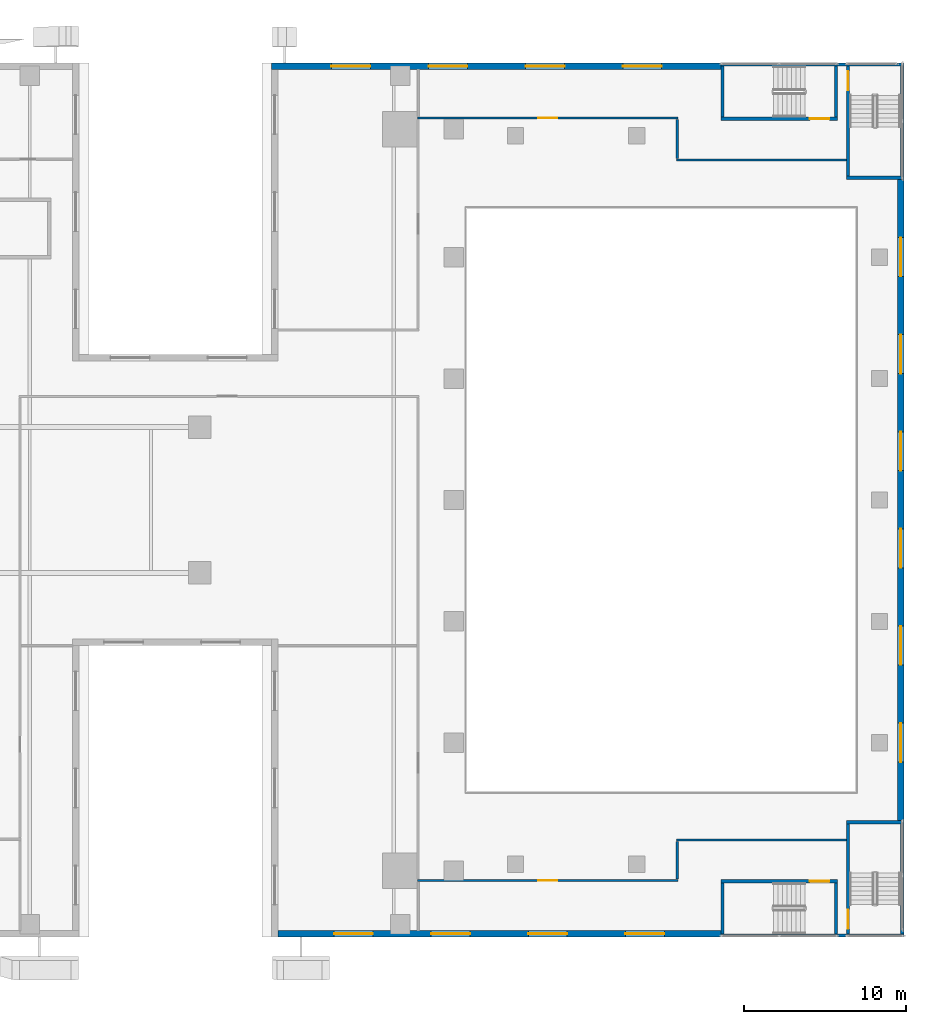
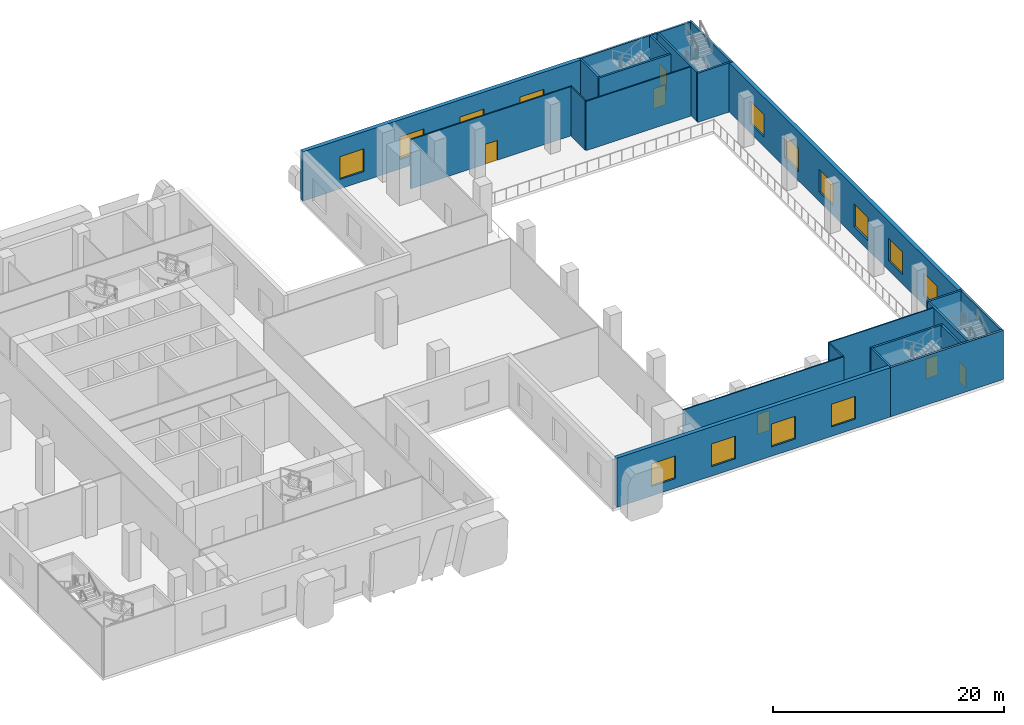
# One storey, part 14 of 23: 23 walls, 14 windows, 6 doors, 20 openings.
"""IFC4 building model written with IfcOpenShell, lengths in metres."""

from ifc_helpers import new_model, si_unit, direction, frame, frame_2d, origin, place, context, subcontext, project, spatial, rectangle, extrude, source, transform, mapped, material, layer, layer_set, type_object, element, fill, save


model = new_model("IFC4")

# Units and contexts
model_context = context("Model", 3, precision=1e-05, world=origin(), true_north=direction((0.0, 1.0)))
body_context = subcontext(model_context, "Body", "Model", "MODEL_VIEW")
ifc_project = project(units=[si_unit("LENGTHUNIT", "METRE"), si_unit("AREAUNIT", "SQUARE_METRE"), si_unit("VOLUMEUNIT", "CUBIC_METRE"), si_unit("PLANEANGLEUNIT", "RADIAN"), si_unit("MASSUNIT", "GRAM", prefix="KILO")], contexts=[model_context])

# Site, building, storey
site_placement = place(None, origin())
site = spatial("IfcSite", under=ifc_project, at=site_placement, CompositionType="ELEMENT")
building_placement = place(site_placement, origin())
building = spatial("IfcBuilding", under=site, at=building_placement, Name="Khomas Fold Tower", CompositionType="ELEMENT")
storey_placement = place(building_placement, frame((0.0, 0.0, 13.0)))
storey = spatial("IfcBuildingStorey", under=building, at=storey_placement, Name="L02", CompositionType="ELEMENT", Elevation=13.0)

# Wall, openings, windows
ifc_material_1 = material(Name="Concrete C40/50", Category="concrete")
ifc_layer_1 = layer(ifc_material_1, 0.39990234375)
ifc_layer_set_1 = layer_set([ifc_layer_1], Name="Concrete C40/50")
wall_type_1 = type_object("IfcWallType", Name="Stone-clad concrete wall 400", PredefinedType="SOLIDWALL", material=ifc_layer_set_1)
shared_shape_1 = source(origin(), body_context, "Body", "SweptSolid", [
    extrude(rectangle(XDim=39.580078125, YDim=0.39990234375, at=frame_2d((19.7900390625, 0.0))), origin(), (0.0, 0.0, 1.0), 5.199951171875),
])
wall_1_placement = place(storey_placement, frame((80.800048828125, 7.2099609375, 0.0), z_axis=(0.0, 0.0, 1.0), x_axis=(0.0, 1.0, 0.0)))
wall_1 = element("IfcWall", 1, at=wall_1_placement, inside=storey, type_object=wall_type_1, Name="Podium wall", PredefinedType="SOLIDWALL", context=body_context, shape_type="MappedRepresentation", body=[
    mapped(shared_shape_1, transform((0.0, 0.0, 0.0))),
])
shared_shape_2 = source(origin(), body_context, "Body", "SweptSolid", [
    extrude(rectangle(XDim=2.39990234375, YDim=2.39990234375, at=frame_2d((1.199951171875, 1.199951171875))), frame((0.0, 0.2099609375, 0.0), z_axis=(0.0, -1.0, 0.0), x_axis=(1.0, 0.0, 0.0)), (0.0, 0.0, 1.0), 0.419921875),
])
opening_1_placement = place(wall_1_placement, frame((3.60009765625, 0.0, 1.0)))
opening_1 = element("IfcOpeningElement", 2, at=opening_1_placement, cuts=wall_1, Name="Opening PD-WN", PredefinedType="OPENING", context=body_context, shape_type="MappedRepresentation", body=[
    mapped(shared_shape_2, transform((0.0, 0.0, 0.0))),
])
opening_2_placement = place(wall_1_placement, frame((9.60009765625, 0.0, 1.0)))
opening_2 = element("IfcOpeningElement", 3, at=opening_2_placement, cuts=wall_1, Name="Opening PD-WN", PredefinedType="OPENING", context=body_context, shape_type="MappedRepresentation", body=[
    mapped(shared_shape_2, transform((0.0, 0.0, 0.0))),
])
opening_3_placement = place(wall_1_placement, frame((15.60009765625, 0.0, 1.0)))
opening_3 = element("IfcOpeningElement", 4, at=opening_3_placement, cuts=wall_1, Name="Opening PD-WN", PredefinedType="OPENING", context=body_context, shape_type="MappedRepresentation", body=[
    mapped(shared_shape_2, transform((0.0, 0.0, 0.0))),
])
opening_4_placement = place(wall_1_placement, frame((21.60009765625, 0.0, 1.0)))
opening_4 = element("IfcOpeningElement", 5, at=opening_4_placement, cuts=wall_1, Name="Opening PD-WN", PredefinedType="OPENING", context=body_context, shape_type="MappedRepresentation", body=[
    mapped(shared_shape_2, transform((0.0, 0.0, 0.0))),
])
opening_5_placement = place(wall_1_placement, frame((27.60009765625, 0.0, 1.0)))
opening_5 = element("IfcOpeningElement", 6, at=opening_5_placement, cuts=wall_1, Name="Opening PD-WN", PredefinedType="OPENING", context=body_context, shape_type="MappedRepresentation", body=[
    mapped(shared_shape_2, transform((0.0, 0.0, 0.0))),
])
opening_6_placement = place(wall_1_placement, frame((33.60009765625, 0.0, 1.0)))
opening_6 = element("IfcOpeningElement", 7, at=opening_6_placement, cuts=wall_1, Name="Opening PD-WN", PredefinedType="OPENING", context=body_context, shape_type="MappedRepresentation", body=[
    mapped(shared_shape_2, transform((0.0, 0.0, 0.0))),
])
ifc_material_2 = material(Name="Aluminium framed double glazing", Category="aluminium")
window_type = type_object("IfcWindowType", Name="Podium window 2400 x 2400", PartitioningType="SINGLE_PANEL", PredefinedType="WINDOW", material=ifc_material_2)
shared_shape_3 = source(origin(), body_context, "Body", "SweptSolid", [
    extrude(rectangle(XDim=2.39990234375, YDim=2.39990234375, at=frame_2d((1.199951171875, 1.199951171875))), frame((0.0, 0.030029296875, 0.0), z_axis=(0.0, -1.0, 0.0), x_axis=(1.0, 0.0, 0.0)), (0.0, 0.0, 1.0), 0.06005859375),
])
window_1_placement = place(opening_1_placement, origin())
window_1 = element("IfcWindow", 8, at=window_1_placement, inside=storey, type_object=window_type, Name="Podium window", OverallHeight=2.39990234375, OverallWidth=2.39990234375, PartitioningType="SINGLE_PANEL", PredefinedType="WINDOW", context=body_context, shape_type="MappedRepresentation", body=[
    mapped(shared_shape_3, transform((0.0, 0.0, 0.0))),
])
fill(opening_1, window_1)
window_2_placement = place(opening_2_placement, origin())
window_2 = element("IfcWindow", 9, at=window_2_placement, inside=storey, type_object=window_type, Name="Podium window", OverallHeight=2.39990234375, OverallWidth=2.39990234375, PartitioningType="SINGLE_PANEL", PredefinedType="WINDOW", context=body_context, shape_type="MappedRepresentation", body=[
    mapped(shared_shape_3, transform((0.0, 0.0, 0.0))),
])
fill(opening_2, window_2)
window_3_placement = place(opening_3_placement, origin())
window_3 = element("IfcWindow", 10, at=window_3_placement, inside=storey, type_object=window_type, Name="Podium window", OverallHeight=2.39990234375, OverallWidth=2.39990234375, PartitioningType="SINGLE_PANEL", PredefinedType="WINDOW", context=body_context, shape_type="MappedRepresentation", body=[
    mapped(shared_shape_3, transform((0.0, 0.0, 0.0))),
])
fill(opening_3, window_3)
window_4_placement = place(opening_4_placement, origin())
window_4 = element("IfcWindow", 11, at=window_4_placement, inside=storey, type_object=window_type, Name="Podium window", OverallHeight=2.39990234375, OverallWidth=2.39990234375, PartitioningType="SINGLE_PANEL", PredefinedType="WINDOW", context=body_context, shape_type="MappedRepresentation", body=[
    mapped(shared_shape_3, transform((0.0, 0.0, 0.0))),
])
fill(opening_4, window_4)
window_5_placement = place(opening_5_placement, origin())
window_5 = element("IfcWindow", 12, at=window_5_placement, inside=storey, type_object=window_type, Name="Podium window", OverallHeight=2.39990234375, OverallWidth=2.39990234375, PartitioningType="SINGLE_PANEL", PredefinedType="WINDOW", context=body_context, shape_type="MappedRepresentation", body=[
    mapped(shared_shape_3, transform((0.0, 0.0, 0.0))),
])
fill(opening_5, window_5)
window_6_placement = place(opening_6_placement, origin())
window_6 = element("IfcWindow", 13, at=window_6_placement, inside=storey, type_object=window_type, Name="Podium window", OverallHeight=2.39990234375, OverallWidth=2.39990234375, PartitioningType="SINGLE_PANEL", PredefinedType="WINDOW", context=body_context, shape_type="MappedRepresentation", body=[
    mapped(shared_shape_3, transform((0.0, 0.0, 0.0))),
])
fill(opening_6, window_6)

shared_shape_4 = source(origin(), body_context, "Body", "SweptSolid", [
    extrude(rectangle(XDim=27.33984375, YDim=0.39990234375, at=frame_2d((13.669921875, 0.0))), origin(), (0.0, 0.0, 1.0), 5.199951171875),
])
wall_2_placement = place(storey_placement, frame((42.35009765625, 0.199951171875, 0.0), z_axis=(0.0, 0.0, 1.0), x_axis=(1.0, 0.0, 0.0)))
wall_2 = element("IfcWall", 14, at=wall_2_placement, inside=storey, type_object=wall_type_1, Name="Podium wall", PredefinedType="SOLIDWALL", context=body_context, shape_type="MappedRepresentation", body=[
    mapped(shared_shape_4, transform((0.0, 0.0, 0.0))),
])
opening_7_placement = place(wall_2_placement, frame((3.449951171875, 0.0, 1.0)))
opening_7 = element("IfcOpeningElement", 15, at=opening_7_placement, cuts=wall_2, Name="Opening PD-WN", PredefinedType="OPENING", context=body_context, shape_type="MappedRepresentation", body=[
    mapped(shared_shape_2, transform((0.0, 0.0, 0.0))),
])
opening_8_placement = place(wall_2_placement, frame((9.449951171875, 0.0, 1.0)))
opening_8 = element("IfcOpeningElement", 16, at=opening_8_placement, cuts=wall_2, Name="Opening PD-WN", PredefinedType="OPENING", context=body_context, shape_type="MappedRepresentation", body=[
    mapped(shared_shape_2, transform((0.0, 0.0, 0.0))),
])
opening_9_placement = place(wall_2_placement, frame((15.449951171875, 0.0, 1.0)))
opening_9 = element("IfcOpeningElement", 17, at=opening_9_placement, cuts=wall_2, Name="Opening PD-WN", PredefinedType="OPENING", context=body_context, shape_type="MappedRepresentation", body=[
    mapped(shared_shape_2, transform((0.0, 0.0, 0.0))),
])
opening_10_placement = place(wall_2_placement, frame((21.449951171875, 0.0, 1.0)))
opening_10 = element("IfcOpeningElement", 18, at=opening_10_placement, cuts=wall_2, Name="Opening PD-WN", PredefinedType="OPENING", context=body_context, shape_type="MappedRepresentation", body=[
    mapped(shared_shape_2, transform((0.0, 0.0, 0.0))),
])
window_7_placement = place(opening_7_placement, origin())
window_7 = element("IfcWindow", 19, at=window_7_placement, inside=storey, type_object=window_type, Name="Podium window", OverallHeight=2.39990234375, OverallWidth=2.39990234375, PartitioningType="SINGLE_PANEL", PredefinedType="WINDOW", context=body_context, shape_type="MappedRepresentation", body=[
    mapped(shared_shape_3, transform((0.0, 0.0, 0.0))),
])
fill(opening_7, window_7)
window_8_placement = place(opening_8_placement, origin())
window_8 = element("IfcWindow", 20, at=window_8_placement, inside=storey, type_object=window_type, Name="Podium window", OverallHeight=2.39990234375, OverallWidth=2.39990234375, PartitioningType="SINGLE_PANEL", PredefinedType="WINDOW", context=body_context, shape_type="MappedRepresentation", body=[
    mapped(shared_shape_3, transform((0.0, 0.0, 0.0))),
])
fill(opening_8, window_8)
window_9_placement = place(opening_9_placement, origin())
window_9 = element("IfcWindow", 21, at=window_9_placement, inside=storey, type_object=window_type, Name="Podium window", OverallHeight=2.39990234375, OverallWidth=2.39990234375, PartitioningType="SINGLE_PANEL", PredefinedType="WINDOW", context=body_context, shape_type="MappedRepresentation", body=[
    mapped(shared_shape_3, transform((0.0, 0.0, 0.0))),
])
fill(opening_9, window_9)
window_10_placement = place(opening_10_placement, origin())
window_10 = element("IfcWindow", 22, at=window_10_placement, inside=storey, type_object=window_type, Name="Podium window", OverallHeight=2.39990234375, OverallWidth=2.39990234375, PartitioningType="SINGLE_PANEL", PredefinedType="WINDOW", context=body_context, shape_type="MappedRepresentation", body=[
    mapped(shared_shape_3, transform((0.0, 0.0, 0.0))),
])
fill(opening_10, window_10)

shared_shape_5 = source(origin(), body_context, "Body", "SweptSolid", [
    extrude(rectangle(XDim=27.739990234375, YDim=0.39990234375, at=frame_2d((13.8701171875, 0.0))), origin(), (0.0, 0.0, 1.0), 5.199951171875),
])
wall_3_placement = place(storey_placement, frame((69.68994140625, 53.800048828125, 0.0), z_axis=(0.0, 0.0, 1.0), x_axis=(-1.0, 0.0, 0.0)))
wall_3 = element("IfcWall", 23, at=wall_3_placement, inside=storey, type_object=wall_type_1, Name="Podium wall", PredefinedType="SOLIDWALL", context=body_context, shape_type="MappedRepresentation", body=[
    mapped(shared_shape_5, transform((0.0, 0.0, 0.0))),
])
opening_11_placement = place(wall_3_placement, frame((3.64990234375, 0.0, 1.0)))
opening_11 = element("IfcOpeningElement", 24, at=opening_11_placement, cuts=wall_3, Name="Opening PD-WN", PredefinedType="OPENING", context=body_context, shape_type="MappedRepresentation", body=[
    mapped(shared_shape_2, transform((0.0, 0.0, 0.0))),
])
opening_12_placement = place(wall_3_placement, frame((9.64990234375, 0.0, 1.0)))
opening_12 = element("IfcOpeningElement", 25, at=opening_12_placement, cuts=wall_3, Name="Opening PD-WN", PredefinedType="OPENING", context=body_context, shape_type="MappedRepresentation", body=[
    mapped(shared_shape_2, transform((0.0, 0.0, 0.0))),
])
opening_13_placement = place(wall_3_placement, frame((15.64990234375, 0.0, 1.0)))
opening_13 = element("IfcOpeningElement", 26, at=opening_13_placement, cuts=wall_3, Name="Opening PD-WN", PredefinedType="OPENING", context=body_context, shape_type="MappedRepresentation", body=[
    mapped(shared_shape_2, transform((0.0, 0.0, 0.0))),
])
opening_14_placement = place(wall_3_placement, frame((21.64990234375, 0.0, 1.0)))
opening_14 = element("IfcOpeningElement", 27, at=opening_14_placement, cuts=wall_3, Name="Opening PD-WN", PredefinedType="OPENING", context=body_context, shape_type="MappedRepresentation", body=[
    mapped(shared_shape_2, transform((0.0, 0.0, 0.0))),
])
window_11_placement = place(opening_11_placement, origin())
window_11 = element("IfcWindow", 28, at=window_11_placement, inside=storey, type_object=window_type, Name="Podium window", OverallHeight=2.39990234375, OverallWidth=2.39990234375, PartitioningType="SINGLE_PANEL", PredefinedType="WINDOW", context=body_context, shape_type="MappedRepresentation", body=[
    mapped(shared_shape_3, transform((0.0, 0.0, 0.0))),
])
fill(opening_11, window_11)
window_12_placement = place(opening_12_placement, origin())
window_12 = element("IfcWindow", 29, at=window_12_placement, inside=storey, type_object=window_type, Name="Podium window", OverallHeight=2.39990234375, OverallWidth=2.39990234375, PartitioningType="SINGLE_PANEL", PredefinedType="WINDOW", context=body_context, shape_type="MappedRepresentation", body=[
    mapped(shared_shape_3, transform((0.0, 0.0, 0.0))),
])
fill(opening_12, window_12)
window_13_placement = place(opening_13_placement, origin())
window_13 = element("IfcWindow", 30, at=window_13_placement, inside=storey, type_object=window_type, Name="Podium window", OverallHeight=2.39990234375, OverallWidth=2.39990234375, PartitioningType="SINGLE_PANEL", PredefinedType="WINDOW", context=body_context, shape_type="MappedRepresentation", body=[
    mapped(shared_shape_3, transform((0.0, 0.0, 0.0))),
])
fill(opening_13, window_13)
window_14_placement = place(opening_14_placement, origin())
window_14 = element("IfcWindow", 31, at=window_14_placement, inside=storey, type_object=window_type, Name="Podium window", OverallHeight=2.39990234375, OverallWidth=2.39990234375, PartitioningType="SINGLE_PANEL", PredefinedType="WINDOW", context=body_context, shape_type="MappedRepresentation", body=[
    mapped(shared_shape_3, transform((0.0, 0.0, 0.0))),
])
fill(opening_14, window_14)

# Wall, opening, door
ifc_material_3 = material(Name="Concrete C30/37", Category="concrete")
ifc_layer_2 = layer(ifc_material_3, 0.199951171875)
ifc_layer_set_2 = layer_set([ifc_layer_2], Name="Concrete C30/37")
wall_type_2 = type_object("IfcWallType", Name="Stair wall PW5 200", PredefinedType="PARTITIONING", material=ifc_layer_set_2)
shared_shape_6 = source(origin(), body_context, "Body", "SweptSolid", [
    extrude(rectangle(XDim=7.199951171875, YDim=0.199951171875, at=frame_2d((3.60009765625, 0.0))), origin(), (0.0, 0.0, 1.0), 5.199951171875),
])
wall_4_placement = place(storey_placement, frame((69.699951171875, 3.449951171875, 0.0), z_axis=(0.0, 0.0, 1.0), x_axis=(1.0, 0.0, 0.0)))
wall_4 = element("IfcWall", 32, at=wall_4_placement, inside=storey, type_object=wall_type_2, Name="Stair wall", PredefinedType="PARTITIONING", context=body_context, shape_type="MappedRepresentation", body=[
    mapped(shared_shape_6, transform((0.0, 0.0, 0.0))),
])
shared_shape_7 = source(origin(), body_context, "Body", "SweptSolid", [
    extrude(rectangle(XDim=1.199951171875, YDim=2.10009765625, at=frame_2d((0.60009765625, 1.050048828125))), frame((0.0, 0.10986328125, 0.0), z_axis=(0.0, -1.0, 0.0), x_axis=(1.0, 0.0, 0.0)), (0.0, 0.0, 1.0), 0.219970703125),
])
opening_15_placement = place(wall_4_placement, frame((5.5, 0.0, 0.0)))
opening_15 = element("IfcOpeningElement", 33, at=opening_15_placement, cuts=wall_4, Name="Opening 0018", PredefinedType="OPENING", context=body_context, shape_type="MappedRepresentation", body=[
    mapped(shared_shape_7, transform((0.0, 0.0, 0.0))),
])
ifc_material_4 = material(Name="Steel door leaf", Category="steel")
door_type_1 = type_object("IfcDoorType", Name="Stair door 1200x2100 right-hand", OperationType="SINGLE_SWING_RIGHT", PredefinedType="DOOR", material=ifc_material_4)
shared_shape_8 = source(origin(), body_context, "Body", "SweptSolid", [
    extrude(rectangle(XDim=1.199951171875, YDim=2.10009765625, at=frame_2d((0.60009765625, 1.050048828125))), frame((0.0, 0.02490234375, 0.0), z_axis=(0.0, -1.0, 0.0), x_axis=(1.0, 0.0, 0.0)), (0.0, 0.0, 1.0), 0.050048828125),
])
door_1_placement = place(opening_15_placement, origin())
door_1 = element("IfcDoor", 34, at=door_1_placement, inside=storey, type_object=door_type_1, Name="Stair door", OperationType="SINGLE_SWING_RIGHT", OverallHeight=2.10009765625, OverallWidth=1.199951171875, PredefinedType="DOOR", context=body_context, shape_type="MappedRepresentation", body=[
    mapped(shared_shape_8, transform((0.0, 0.0, 0.0))),
])
fill(opening_15, door_1)

wall_5_placement = place(storey_placement, frame((69.699951171875, 50.550048828125, 0.0), z_axis=(0.0, 0.0, 1.0), x_axis=(1.0, 0.0, 0.0)))
wall_5 = element("IfcWall", 35, at=wall_5_placement, inside=storey, type_object=wall_type_2, Name="Stair wall", PredefinedType="PARTITIONING", context=body_context, shape_type="MappedRepresentation", body=[
    mapped(shared_shape_6, transform((0.0, 0.0, 0.0))),
])
opening_16_placement = place(wall_5_placement, frame((5.5, 0.0, 0.0)))
opening_16 = element("IfcOpeningElement", 36, at=opening_16_placement, cuts=wall_5, Name="Opening 0017", PredefinedType="OPENING", context=body_context, shape_type="MappedRepresentation", body=[
    mapped(shared_shape_7, transform((0.0, 0.0, 0.0))),
])
ifc_material_5 = material(Name="Steel door leaf", Category="steel")
door_type_2 = type_object("IfcDoorType", Name="Stair door 1200x2100 left-hand", OperationType="SINGLE_SWING_LEFT", PredefinedType="DOOR", material=ifc_material_5)
door_2_placement = place(opening_16_placement, origin())
door_2 = element("IfcDoor", 37, at=door_2_placement, inside=storey, type_object=door_type_2, Name="Stair door", OperationType="SINGLE_SWING_LEFT", OverallHeight=2.10009765625, OverallWidth=1.199951171875, PredefinedType="DOOR", context=body_context, shape_type="MappedRepresentation", body=[
    mapped(shared_shape_8, transform((0.0, 0.0, 0.0))),
])
fill(opening_16, door_2)

# Walls
shared_shape_9 = source(origin(), body_context, "Body", "SweptSolid", [
    extrude(rectangle(XDim=3.150146484375, YDim=0.199951171875, at=frame_2d((1.5751953125, 0.0))), origin(), (0.0, 0.0, 1.0), 5.199951171875),
])
for number, where, z_axis, x_axis, name in (
    (38, (69.800048828125, 0.199951171875, 0.0), (0.0, 0.0, 1.0), (0.0, 1.0, 0.0), "Stair wall"),
    (39, (76.800048828125, 0.199951171875, 0.0), (0.0, 0.0, 1.0), (0.0, 1.0, 0.0), "Stair wall"),
    (40, (69.800048828125, 50.64990234375, 0.0), (0.0, 0.0, 1.0), (0.0, 1.0, 0.0), "Stair wall"),
    (41, (76.800048828125, 50.64990234375, 0.0), (0.0, 0.0, 1.0), (0.0, 1.0, 0.0), "Stair wall"),
):
    element("IfcWall", number, at=place(storey_placement, frame(where, z_axis=z_axis, x_axis=x_axis)), inside=storey, type_object=wall_type_2, Name=name, PredefinedType="PARTITIONING", context=body_context, shape_type="MappedRepresentation", body=[
        mapped(shared_shape_9, transform((0.0, 0.0, 0.0))),
    ])
shared_shape_10 = source(origin(), body_context, "Body", "SweptSolid", [
    extrude(rectangle(XDim=3.550048828125, YDim=0.199951171875, at=frame_2d((1.77490234375, 0.0))), origin(), (0.0, 0.0, 1.0), 5.199951171875),
])
for number, where, z_axis, x_axis, name in (
    (42, (77.449951171875, 7.10009765625, 0.0), (0.0, 0.0, 1.0), (1.0, 0.0, 0.0), "Stair wall"),
    (43, (77.449951171875, 46.89990234375, 0.0), (0.0, 0.0, 1.0), (1.0, 0.0, 0.0), "Stair wall"),
):
    element("IfcWall", number, at=place(storey_placement, frame(where, z_axis=z_axis, x_axis=x_axis)), inside=storey, type_object=wall_type_2, Name=name, PredefinedType="PARTITIONING", context=body_context, shape_type="MappedRepresentation", body=[
        mapped(shared_shape_10, transform((0.0, 0.0, 0.0))),
    ])

# Wall, opening, door
shared_shape_11 = source(origin(), body_context, "Body", "SweptSolid", [
    extrude(rectangle(XDim=6.800048828125, YDim=0.199951171875, at=frame_2d((3.39990234375, 0.0))), origin(), (0.0, 0.0, 1.0), 5.199951171875),
])
wall_6_placement = place(storey_placement, frame((77.550048828125, 0.199951171875, 0.0), z_axis=(0.0, 0.0, 1.0), x_axis=(0.0, 1.0, 0.0)))
wall_6 = element("IfcWall", 44, at=wall_6_placement, inside=storey, type_object=wall_type_2, Name="Stair wall", PredefinedType="PARTITIONING", context=body_context, shape_type="MappedRepresentation", body=[
    mapped(shared_shape_11, transform((0.0, 0.0, 0.0))),
])
opening_17_placement = place(wall_6_placement, frame((0.300048828125, 0.0, 0.0)))
opening_17 = element("IfcOpeningElement", 45, at=opening_17_placement, cuts=wall_6, Name="Opening 0018", PredefinedType="OPENING", context=body_context, shape_type="MappedRepresentation", body=[
    mapped(shared_shape_7, transform((0.0, 0.0, 0.0))),
])
door_3_placement = place(opening_17_placement, origin())
door_3 = element("IfcDoor", 46, at=door_3_placement, inside=storey, type_object=door_type_1, Name="Stair door", OperationType="SINGLE_SWING_RIGHT", OverallHeight=2.10009765625, OverallWidth=1.199951171875, PredefinedType="DOOR", context=body_context, shape_type="MappedRepresentation", body=[
    mapped(shared_shape_8, transform((0.0, 0.0, 0.0))),
])
fill(opening_17, door_3)

# Wall
wall_7_placement = place(storey_placement, frame((80.89990234375, 0.199951171875, 0.0), z_axis=(0.0, 0.0, 1.0), x_axis=(0.0, 1.0, 0.0)))
element("IfcWall", 47, at=wall_7_placement, inside=storey, type_object=wall_type_2, Name="Stair wall", PredefinedType="PARTITIONING", context=body_context, shape_type="MappedRepresentation", body=[
    mapped(shared_shape_11, transform((0.0, 0.0, 0.0))),
])

# Wall, opening, door
wall_8_placement = place(storey_placement, frame((77.550048828125, 47.0, 0.0), z_axis=(0.0, 0.0, 1.0), x_axis=(0.0, 1.0, 0.0)))
wall_8 = element("IfcWall", 48, at=wall_8_placement, inside=storey, type_object=wall_type_2, Name="Stair wall", PredefinedType="PARTITIONING", context=body_context, shape_type="MappedRepresentation", body=[
    mapped(shared_shape_11, transform((0.0, 0.0, 0.0))),
])
opening_18_placement = place(wall_8_placement, frame((5.300048828125, 0.0, 0.0)))
opening_18 = element("IfcOpeningElement", 49, at=opening_18_placement, cuts=wall_8, Name="Opening 0018", PredefinedType="OPENING", context=body_context, shape_type="MappedRepresentation", body=[
    mapped(shared_shape_7, transform((0.0, 0.0, 0.0))),
])
door_4_placement = place(opening_18_placement, origin())
door_4 = element("IfcDoor", 50, at=door_4_placement, inside=storey, type_object=door_type_1, Name="Stair door", OperationType="SINGLE_SWING_RIGHT", OverallHeight=2.10009765625, OverallWidth=1.199951171875, PredefinedType="DOOR", context=body_context, shape_type="MappedRepresentation", body=[
    mapped(shared_shape_8, transform((0.0, 0.0, 0.0))),
])
fill(opening_18, door_4)

# Walls
wall_9_placement = place(storey_placement, frame((80.89990234375, 47.0, 0.0), z_axis=(0.0, 0.0, 1.0), x_axis=(0.0, 1.0, 0.0)))
element("IfcWall", 51, at=wall_9_placement, inside=storey, type_object=wall_type_2, Name="Stair wall", PredefinedType="PARTITIONING", context=body_context, shape_type="MappedRepresentation", body=[
    mapped(shared_shape_11, transform((0.0, 0.0, 0.0))),
])
shared_shape_12 = source(origin(), body_context, "Body", "SweptSolid", [
    extrude(rectangle(XDim=11.300048828125, YDim=0.199951171875, at=frame_2d((5.64990234375, 0.0))), origin(), (0.0, 0.0, 1.0), 5.199951171875),
])
for number, where, z_axis, x_axis, name in (
    (52, (69.699951171875, 0.10009765625, 0.0), (0.0, 0.0, 1.0), (1.0, 0.0, 0.0), "Stair wall"),
    (53, (69.699951171875, 53.89990234375, 0.0), (0.0, 0.0, 1.0), (1.0, 0.0, 0.0), "Stair wall"),
):
    element("IfcWall", number, at=place(storey_placement, frame(where, z_axis=z_axis, x_axis=x_axis)), inside=storey, type_object=wall_type_2, Name=name, PredefinedType="PARTITIONING", context=body_context, shape_type="MappedRepresentation", body=[
        mapped(shared_shape_12, transform((0.0, 0.0, 0.0))),
    ])

# Wall, opening, door
ifc_material_6 = material(Name="Plasterboard partition")
ifc_layer_3 = layer(ifc_material_6, 0.125)
ifc_layer_set_3 = layer_set([ifc_layer_3], Name="Plasterboard partition")
wall_type_3 = type_object("IfcWallType", Name="Partition PW2 125", PredefinedType="PARTITIONING", material=ifc_layer_set_3)
shared_shape_13 = source(origin(), body_context, "Body", "SweptSolid", [
    extrude(rectangle(XDim=16.10009765625, YDim=0.125, at=frame_2d((8.050048828125, 0.0))), origin(), (0.0, 0.0, 1.0), 5.199951171875),
])
wall_10_placement = place(storey_placement, frame((50.949951171875, 3.5, 0.0), z_axis=(0.0, 0.0, 1.0), x_axis=(1.0, 0.0, 0.0)))
wall_10 = element("IfcWall", 54, at=wall_10_placement, inside=storey, type_object=wall_type_3, Name="Partition", PredefinedType="PARTITIONING", context=body_context, shape_type="MappedRepresentation", body=[
    mapped(shared_shape_13, transform((0.0, 0.0, 0.0))),
])
shared_shape_14 = source(origin(), body_context, "Body", "SweptSolid", [
    extrude(rectangle(XDim=1.199951171875, YDim=2.10009765625, at=frame_2d((0.60009765625, 1.050048828125))), frame((0.0, 0.072509765625, 0.0), z_axis=(0.0, -1.0, 0.0), x_axis=(1.0, 0.0, 0.0)), (0.0, 0.0, 1.0), 0.14501953125),
])
opening_19_placement = place(wall_10_placement, frame((7.449951171875, 0.0, 0.0)))
opening_19 = element("IfcOpeningElement", 55, at=opening_19_placement, cuts=wall_10, Name="Opening 0013", PredefinedType="OPENING", context=body_context, shape_type="MappedRepresentation", body=[
    mapped(shared_shape_14, transform((0.0, 0.0, 0.0))),
])
ifc_material_7 = material(Name="Timber door leaf", Category="wood")
door_type_3 = type_object("IfcDoorType", Name="Door 1200x2100 left-hand", OperationType="SINGLE_SWING_LEFT", PredefinedType="DOOR", material=ifc_material_7)
door_5_placement = place(opening_19_placement, origin())
door_5 = element("IfcDoor", 56, at=door_5_placement, inside=storey, type_object=door_type_3, Name="Door", OperationType="SINGLE_SWING_LEFT", OverallHeight=2.10009765625, OverallWidth=1.199951171875, PredefinedType="DOOR", context=body_context, shape_type="MappedRepresentation", body=[
    mapped(shared_shape_8, transform((0.0, 0.0, 0.0))),
])
fill(opening_19, door_5)

wall_11_placement = place(storey_placement, frame((50.949951171875, 50.60009765625, 0.0), z_axis=(0.0, 0.0, 1.0), x_axis=(1.0, 0.0, 0.0)))
wall_11 = element("IfcWall", 57, at=wall_11_placement, inside=storey, type_object=wall_type_3, Name="Partition", PredefinedType="PARTITIONING", context=body_context, shape_type="MappedRepresentation", body=[
    mapped(shared_shape_13, transform((0.0, 0.0, 0.0))),
])
opening_20_placement = place(wall_11_placement, frame((7.449951171875, 0.0, 0.0)))
opening_20 = element("IfcOpeningElement", 58, at=opening_20_placement, cuts=wall_11, Name="Opening 0013", PredefinedType="OPENING", context=body_context, shape_type="MappedRepresentation", body=[
    mapped(shared_shape_14, transform((0.0, 0.0, 0.0))),
])
door_6_placement = place(opening_20_placement, origin())
door_6 = element("IfcDoor", 59, at=door_6_placement, inside=storey, type_object=door_type_3, Name="Door", OperationType="SINGLE_SWING_LEFT", OverallHeight=2.10009765625, OverallWidth=1.199951171875, PredefinedType="DOOR", context=body_context, shape_type="MappedRepresentation", body=[
    mapped(shared_shape_8, transform((0.0, 0.0, 0.0))),
])
fill(opening_20, door_6)

# Walls
shared_shape_15 = source(origin(), body_context, "Body", "SweptSolid", [
    extrude(rectangle(XDim=2.2998046875, YDim=0.125, at=frame_2d((1.14990234375, 0.0))), origin(), (0.0, 0.0, 1.0), 5.199951171875),
])
wall_12_placement = place(storey_placement, frame((67.0, 3.60009765625, 0.0), z_axis=(0.0, 0.0, 1.0), x_axis=(0.0, 1.0, 0.0)))
element("IfcWall", 60, at=wall_12_placement, inside=storey, type_object=wall_type_3, Name="Partition", PredefinedType="PARTITIONING", context=body_context, shape_type="MappedRepresentation", body=[
    mapped(shared_shape_15, transform((0.0, 0.0, 0.0))),
])
shared_shape_16 = source(origin(), body_context, "Body", "SweptSolid", [
    extrude(rectangle(XDim=10.5, YDim=0.125, at=frame_2d((5.25, 0.0))), origin(), (0.0, 0.0, 1.0), 5.199951171875),
])
for number, where, z_axis, x_axis, name in (
    (61, (66.949951171875, 6.0, 0.0), (0.0, 0.0, 1.0), (1.0, 0.0, 0.0), "Partition"),
    (62, (66.949951171875, 48.0, 0.0), (0.0, 0.0, 1.0), (1.0, 0.0, 0.0), "Partition"),
):
    element("IfcWall", number, at=place(storey_placement, frame(where, z_axis=z_axis, x_axis=x_axis)), inside=storey, type_object=wall_type_3, Name=name, PredefinedType="PARTITIONING", context=body_context, shape_type="MappedRepresentation", body=[
        mapped(shared_shape_16, transform((0.0, 0.0, 0.0))),
    ])
shared_shape_17 = source(origin(), body_context, "Body", "SweptSolid", [
    extrude(rectangle(XDim=2.39990234375, YDim=0.125, at=frame_2d((1.199951171875, 0.0))), origin(), (0.0, 0.0, 1.0), 5.199951171875),
])
wall_13_placement = place(storey_placement, frame((67.0, 48.10009765625, 0.0), z_axis=(0.0, 0.0, 1.0), x_axis=(0.0, 1.0, 0.0)))
element("IfcWall", 63, at=wall_13_placement, inside=storey, type_object=wall_type_3, Name="Partition", PredefinedType="PARTITIONING", context=body_context, shape_type="MappedRepresentation", body=[
    mapped(shared_shape_17, transform((0.0, 0.0, 0.0))),
])

save(model, "model.ifc")
